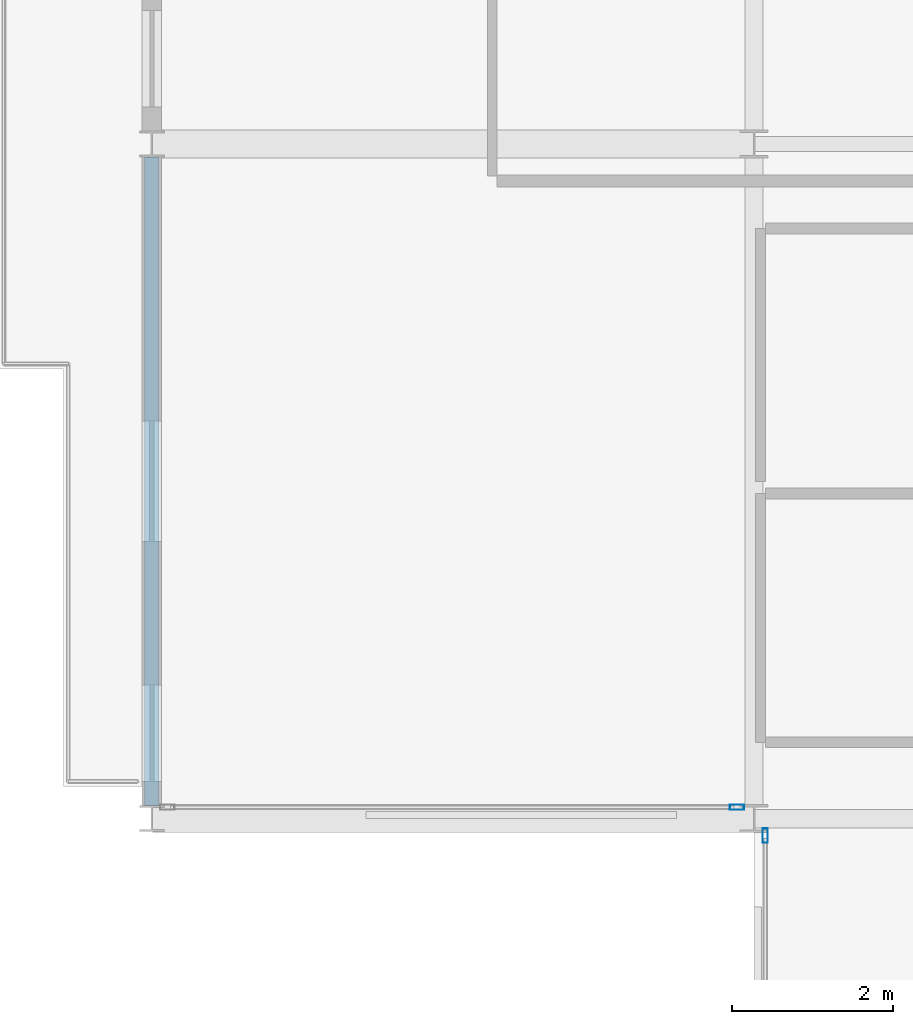
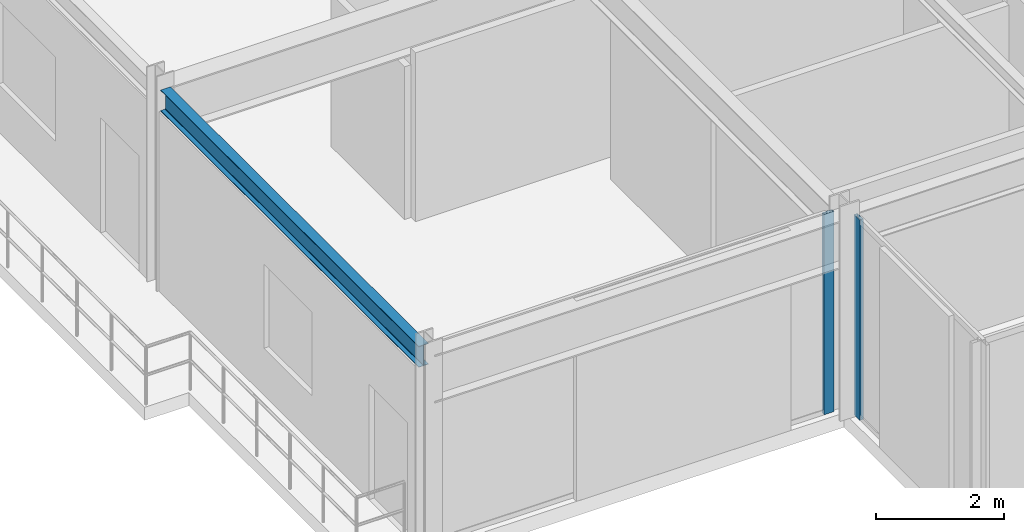
# One storey, part 4 of 29: 2 members, 1 beam, 2 elements without a shape of their own.
"""IFC4 building model written with IfcOpenShell, lengths in metres."""

import ifcopenshell
import ifcopenshell.guid

model = None  # the IFC model being written
_history = None  # IfcOwnerHistory: only IFC2X3 demands one
_inside = {}  # id of a spatial element -> (the spatial element, [elements in it])
_under = {}  # id of a project, library or spatial element -> (it, [spatial elements below it])
_declared = {}  # id of a project -> (the project, [libraries it declares])
_typed = {}  # id of a type object -> (the type object, [elements of that type])
_made_of = {}  # id of a material, layer set ... -> (it, [elements and type objects made of it])


def new_model(schema):
    """Start an empty IFC model of exactly this schema.

    Asked for "IFC4X3", IfcOpenShell would pick the latest addendum, in which some entities
    have other attributes; the version numbers below select the first issue.
    IFC2X3 requires an IfcOwnerHistory on every rooted entity: one is made here for all.
    """
    global model, _history
    if schema == "IFC4X3":
        model = ifcopenshell.file(schema_version=(4, 3, 0, 0))
    else:
        model = ifcopenshell.file(schema=schema)
    _inside.clear()
    _under.clear()
    _declared.clear()
    _typed.clear()
    _made_of.clear()
    _history = None
    if model.schema == "IFC2X3":
        org = make("IfcOrganization", Name="unknown")
        user = make(
            "IfcPersonAndOrganization",
            ThePerson=make("IfcPerson", FamilyName="unknown"),
            TheOrganization=org,
        )
        app = make(
            "IfcApplication",
            ApplicationDeveloper=org,
            Version="unknown",
            ApplicationFullName="unknown",
            ApplicationIdentifier="unknown",
        )
        _history = make(
            "IfcOwnerHistory",
            OwningUser=user,
            OwningApplication=app,
            ChangeAction="ADDED",
            CreationDate=0,
        )
    return model


def make(cls, **values):
    """One entity of the class cls with the attributes given. An attribute that is None is left unset."""
    return model.create_entity(
        cls, **{name: value for name, value in values.items() if value is not None}
    )


def rooted(cls, **values):
    """An entity with a GlobalId (a new one), such as an element, a storey or a relation."""
    return make(cls, GlobalId=ifcopenshell.guid.new(), OwnerHistory=_history, **values)


def si_unit(unit_type, name, prefix=None):
    """IfcSIUnit, for example si_unit("LENGTHUNIT", "METRE", prefix="MILLI")."""
    return make("IfcSIUnit", UnitType=unit_type, Prefix=prefix, Name=name)


def assignment(units):
    """IfcUnitAssignment: the units of a project."""
    return None if units is None else make("IfcUnitAssignment", Units=units)


def point(xyz):
    """IfcCartesianPoint."""
    return None if xyz is None else make("IfcCartesianPoint", Coordinates=xyz)


def direction(xyz):
    """IfcDirection."""
    return None if xyz is None else make("IfcDirection", DirectionRatios=xyz)


def frame(location, z_axis=None, x_axis=None):
    """IfcAxis2Placement3D, a coordinate frame: its origin and axes. An axis left out is left unset."""
    return make(
        "IfcAxis2Placement3D",
        Location=point(location),
        Axis=direction(z_axis),
        RefDirection=direction(x_axis),
    )


def frame_2d(location, x_axis=None):
    """IfcAxis2Placement2D, a coordinate frame in the plane: its origin and x axis."""
    return make(
        "IfcAxis2Placement2D", Location=point(location), RefDirection=direction(x_axis)
    )


def origin():
    """The frame at (0, 0, 0) with its axes left unset."""
    return frame((0.0, 0.0, 0.0))


def origin_2d():
    """The frame at (0, 0) in the plane with its x axis left unset."""
    return frame_2d((0.0, 0.0))


def place(relative_to, where):
    """IfcLocalPlacement: puts the frame where relative to a parent placement (None: the world)."""
    return make(
        "IfcLocalPlacement", PlacementRelTo=relative_to, RelativePlacement=where
    )


def context(
    kind, dimensions, precision=None, world=None, true_north=None, identifier=None
):
    """IfcGeometricRepresentationContext, for example the 3D "Model" context."""
    return make(
        "IfcGeometricRepresentationContext",
        ContextIdentifier=identifier,
        ContextType=kind,
        CoordinateSpaceDimension=dimensions,
        Precision=precision,
        WorldCoordinateSystem=world,
        TrueNorth=true_north,
    )


def subcontext(parent, identifier, kind, view, scale=None):
    """IfcGeometricRepresentationSubContext, for example "Body" below "Model"."""
    return make(
        "IfcGeometricRepresentationSubContext",
        ContextIdentifier=identifier,
        ContextType=kind,
        ParentContext=parent,
        TargetScale=scale,
        TargetView=view,
    )


def project(units=None, contexts=None):
    """IfcProject with its units and contexts."""
    return rooted(
        "IfcProject",
        Name="project",
        RepresentationContexts=contexts,
        UnitsInContext=assignment(units),
    )


def spatial(cls, under=None, at=None, **own):
    """A site, building, storey or space (cls), placed at a placement, below another one or the project."""
    s = rooted(cls, ObjectPlacement=at, **own)
    if under is not None:
        _under.setdefault(under.id(), (under, []))[1].append(s)
    return s


def profile(cls, at=None, kind="AREA", **sizes):
    """A parametric profile (cls). Its sizes go by their IFC names, for example OverallWidth=200.0."""
    return make(cls, ProfileType=kind, Position=at, **sizes)


def hollow_rectangle(**sizes):
    """IfcRectangleHollowProfileDef."""
    return profile("IfcRectangleHollowProfileDef", **sizes)


def i_section(**sizes):
    """IfcIShapeProfileDef."""
    return profile("IfcIShapeProfileDef", **sizes)


def extrude(swept, where, along, depth):
    """IfcExtrudedAreaSolid: the profile swept, set in the frame where, extruded along a direction by depth."""
    return make(
        "IfcExtrudedAreaSolid",
        SweptArea=swept,
        Position=where,
        ExtrudedDirection=direction(along),
        Depth=depth,
    )


def shape(context_of_items, identifier, shape_type, items):
    """IfcShapeRepresentation: the items that make up one representation, for example the "Body"."""
    return make(
        "IfcShapeRepresentation",
        ContextOfItems=context_of_items,
        RepresentationIdentifier=identifier,
        RepresentationType=shape_type,
        Items=items,
    )


def material(Name=None, Category=None):
    """IfcMaterial."""
    return make("IfcMaterial", Name=Name, Category=Category)


def layer(
    of_material, thickness, ventilated=None, Name=None, Category=None, Priority=None
):
    """IfcMaterialLayer: one layer of a wall or slab, of a material (None: an air gap)."""
    return make(
        "IfcMaterialLayer",
        Material=of_material,
        LayerThickness=thickness,
        IsVentilated=ventilated,
        Name=Name,
        Category=Category,
        Priority=Priority,
    )


def layer_set(layers, Name=None):
    """IfcMaterialLayerSet."""
    return make("IfcMaterialLayerSet", MaterialLayers=layers, LayerSetName=Name)


def material_profile(
    of_material, cross_section, Name=None, Category=None, Priority=None
):
    """IfcMaterialProfile: a cross section and its material."""
    return make(
        "IfcMaterialProfile",
        Name=Name,
        Material=of_material,
        Profile=cross_section,
        Priority=Priority,
        Category=Category,
    )


def profile_set(profiles, Name=None, composite=None):
    """IfcMaterialProfileSet."""
    return make(
        "IfcMaterialProfileSet",
        Name=Name,
        MaterialProfiles=profiles,
        CompositeProfile=composite,
    )


def made_of(thing, what):
    """Note that an element or type object is made of a material, layer set ...; save() writes the relation."""
    if what is not None:
        _made_of.setdefault(what.id(), (what, []))[1].append(thing)
    return thing


def type_object(cls, material=None, **own):
    """A type object (cls), such as IfcWallType, which elements share."""
    return made_of(rooted(cls, **own), material)


def element(
    cls,
    number,
    at=None,
    inside=None,
    cuts=None,
    type_object=None,
    material=None,
    context=None,
    identifier="Body",
    shape_type=None,
    held_by="IfcProductDefinitionShape",
    body=None,
    shapes=None,
    **own,
):
    """One element of the class cls, such as IfcWall. Its Tag is "e" and its number.

    at: its placement. inside: the storey or other place that contains it. cuts: it is an
    opening in that element (IfcRelVoidsElement). A single representation is given by context,
    identifier, shape_type and body (its items); several are given by shapes. held_by: the class
    of the entity that holds the representations. save() writes the other relations.
    """
    e = rooted(cls, Tag="e%d" % number, ObjectPlacement=at, **own)
    if body is not None:
        shapes = [shape(context, identifier, shape_type, body)]
    if shapes is not None:
        e.Representation = make(held_by, Representations=shapes)
    if inside is not None:
        _inside.setdefault(inside.id(), (inside, []))[1].append(e)
    if cuts is not None:
        rooted(
            "IfcRelVoidsElement", RelatingBuildingElement=cuts, RelatedOpeningElement=e
        )
    if type_object is not None:
        _typed.setdefault(type_object.id(), (type_object, []))[1].append(e)
    return made_of(e, material)


def aggregate(whole, parts):
    """IfcRelAggregates: a whole, such as a stair, and the parts it consists of."""
    return rooted("IfcRelAggregates", RelatingObject=whole, RelatedObjects=parts)


def save(model, path):
    """Write the relations noted so far, then the file.

    IfcRelAggregates (storeys below a building ...), IfcRelContainedInSpatialStructure (elements
    in a storey), IfcRelDefinesByType, IfcRelAssociatesMaterial and IfcRelDeclares: one each for
    every whole, place, type object, material and project.
    """
    for whole, parts in _under.values():
        aggregate(whole, parts)
    for where, things in _inside.values():
        rooted(
            "IfcRelContainedInSpatialStructure",
            RelatedElements=things,
            RelatingStructure=where,
        )
    for kind, things in _typed.values():
        rooted("IfcRelDefinesByType", RelatedObjects=things, RelatingType=kind)
    for what, things in _made_of.values():
        rooted("IfcRelAssociatesMaterial", RelatedObjects=things, RelatingMaterial=what)
    for by, libraries in _declared.values():
        rooted("IfcRelDeclares", RelatingContext=by, RelatedDefinitions=libraries)
    model.write(path)


model = new_model("IFC4")

# Units and contexts
model_context = context("Model", 3, precision=1e-05, world=origin(), true_north=direction((0.0, 1.0)))
body_context = subcontext(model_context, "Body", "Model", "MODEL_VIEW")
ifc_project = project(units=[si_unit("LENGTHUNIT", "METRE"), si_unit("AREAUNIT", "SQUARE_METRE"), si_unit("VOLUMEUNIT", "CUBIC_METRE"), si_unit("PLANEANGLEUNIT", "RADIAN"), si_unit("MASSUNIT", "GRAM", prefix="KILO")], contexts=[model_context])

# Site, building, storey
site_placement = place(None, origin())
site = spatial("IfcSite", under=ifc_project, at=site_placement, CompositionType="ELEMENT")
building_placement = place(site_placement, origin())
building = spatial("IfcBuilding", under=site, at=building_placement, Name="Nerrivon Quay Data Exchange", CompositionType="ELEMENT")
storey_placement = place(building_placement, frame((0.0, 0.0, 187.800048828125)))
storey = spatial("IfcBuildingStorey", under=building, at=storey_placement, Name="L44", CompositionType="ELEMENT", Elevation=187.800048828125)

# Beam
ifc_material_1 = material(Name="Steel Grade 350", Category="steel")
ifc_material_profile_1 = material_profile(ifc_material_1, i_section(OverallWidth=0.177978515625, OverallDepth=0.403076171875, WebThickness=0.007568359375, FlangeThickness=0.010986328125, FilletRadius=0.011474609375, at=origin_2d()), Name="410UB53.7")
ifc_profile_set_1 = profile_set([ifc_material_profile_1], Name="Steel Grade 350")
beam_type = type_object("IfcBeamType", Name="BM-SP2-410UB54", PredefinedType="SPANDREL", material=ifc_profile_set_1)
beam_placement = place(storey_placement, frame((-7.5, 8.5634765625, 3.62353515625), z_axis=(0.0, 1.0, 0.0), x_axis=(-1.0, 0.0, 0.0)))
element("IfcBeam", 1, at=beam_placement, inside=storey, type_object=beam_type, Name="L44 West Hooked Edge Spandrel", PredefinedType="SPANDREL", context=body_context, shape_type="SweptSolid", body=[
    extrude(i_section(OverallWidth=0.177978515625, OverallDepth=0.403076171875, WebThickness=0.007568359375, FlangeThickness=0.010986328125, FilletRadius=0.011474609375, at=origin_2d()), origin(), (0.0, 0.0, 1.0), 8.072998046875),
])

# Curtain wall, member
ifc_material_2 = material(Name="Anodised aluminium 6063-T6", Category="aluminium")
ifc_layer_1 = layer(ifc_material_2, 0.195068359375)
ifc_layer_set_1 = layer_set([ifc_layer_1], Name="Anodised aluminium 6063-T6")
curtain_wall_type_1 = type_object("IfcCurtainWallType", Name="CW-SYS-06", PredefinedType="NOTDEFINED", material=ifc_layer_set_1)
curtain_wall_1_placement = place(storey_placement, origin())
curtain_wall_1 = element("IfcCurtainWall", 2, at=curtain_wall_1_placement, inside=storey, type_object=curtain_wall_type_1, Name="L44 Unitised Curtain Wall 31", PredefinedType="NOTDEFINED")
ifc_material_profile_2 = material_profile(ifc_material_2, hollow_rectangle(XDim=0.06494140625, YDim=0.179931640625, WallThickness=0.00341796875, at=origin_2d()), Name="ALU-MULL-180x65")
ifc_profile_set_2 = profile_set([ifc_material_profile_2], Name="Anodised aluminium 6063-T6")
member_type = type_object("IfcMemberType", Name="CWM-180x65", PredefinedType="MULLION", material=ifc_profile_set_2)
member_1_placement = place(storey_placement, frame((0.139892578125, 8.1875, 0.0), z_axis=(0.0, 0.0, 1.0), x_axis=(-1.0, 0.0, 0.0)))
member_1 = element("IfcMember", 3, at=member_1_placement, type_object=member_type, Name="CW06 mullion 2", PredefinedType="MULLION", context=body_context, shape_type="SweptSolid", body=[
    extrude(hollow_rectangle(XDim=0.06494140625, YDim=0.179931640625, WallThickness=0.00341796875, at=origin_2d()), origin(), (0.0, 0.0, 1.0), 3.824951171875),
])
aggregate(curtain_wall_1, [member_1])

ifc_layer_2 = layer(ifc_material_2, 0.199951171875)
ifc_layer_set_2 = layer_set([ifc_layer_2], Name="Anodised aluminium 6063-T6")
curtain_wall_type_2 = type_object("IfcCurtainWallType", Name="CW-SYS-04", PredefinedType="NOTDEFINED", material=ifc_layer_set_2)
curtain_wall_2_placement = place(storey_placement, origin())
curtain_wall_2 = element("IfcCurtainWall", 4, at=curtain_wall_2_placement, inside=storey, type_object=curtain_wall_type_2, Name="L44 Unitised Curtain Wall 32", PredefinedType="NOTDEFINED")
member_2_placement = place(storey_placement, frame((-0.21240234375, 8.5400390625, 0.0), z_axis=(0.0, 0.0, 1.0), x_axis=(0.0, -1.0, 0.0)))
member_2 = element("IfcMember", 5, at=member_2_placement, type_object=member_type, Name="CW04 mullion 1", PredefinedType="MULLION", context=body_context, shape_type="SweptSolid", body=[
    extrude(hollow_rectangle(XDim=0.06494140625, YDim=0.179931640625, WallThickness=0.00341796875, at=origin_2d()), origin(), (0.0, 0.0, 1.0), 3.824951171875),
])
aggregate(curtain_wall_2, [member_2])

save(model, "model.ifc")
